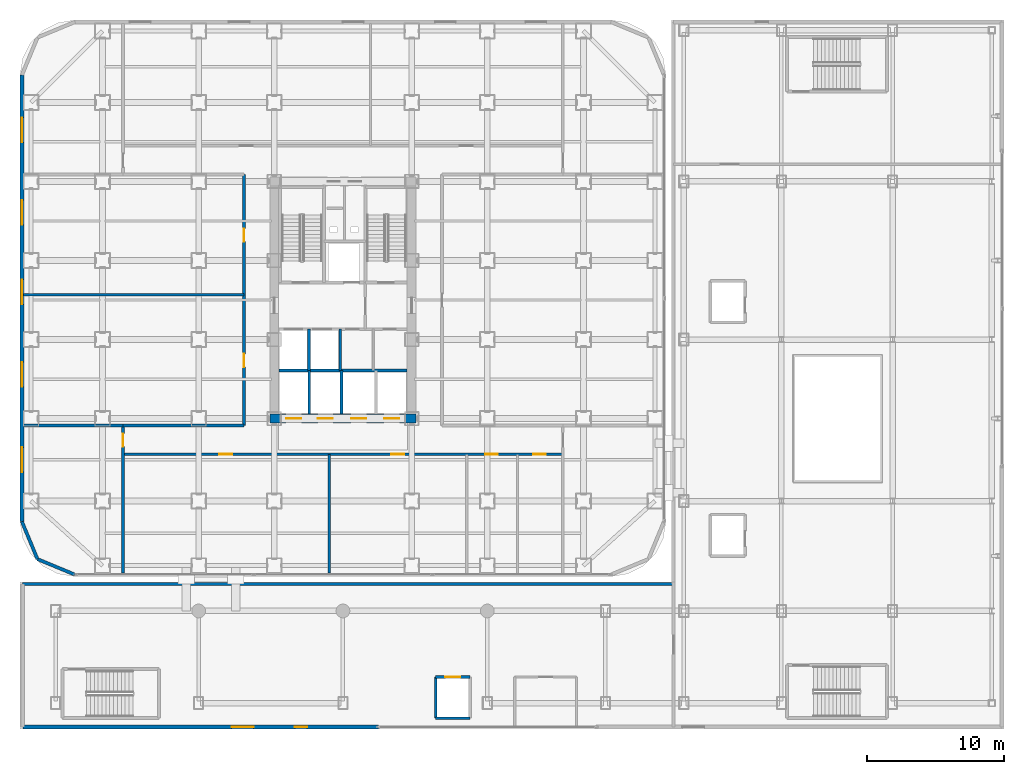
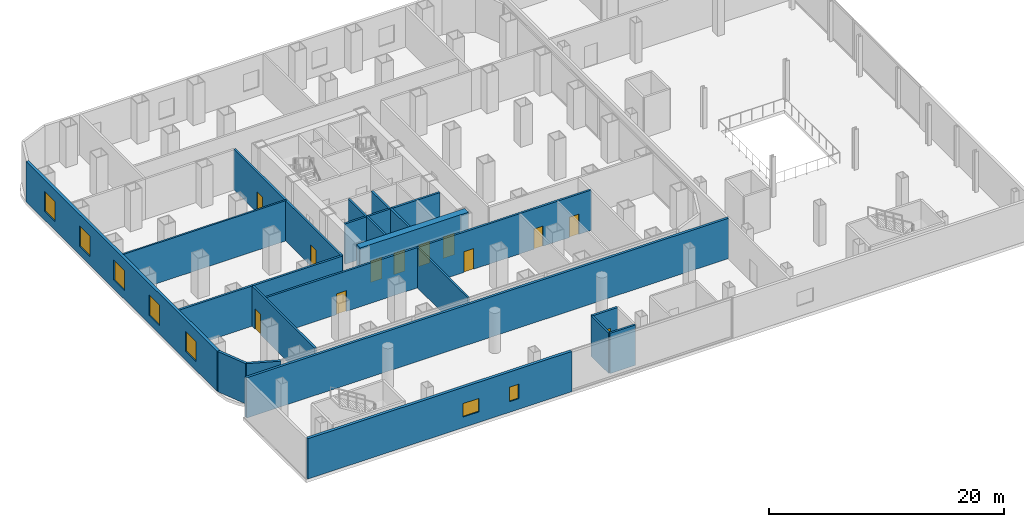
# One storey, part 19 of 26: 21 walls, 12 doors, 7 windows, 19 openings.
"""IFC4 building model written with IfcOpenShell, lengths in metres."""

from ifc_helpers import new_model, si_unit, direction, frame, frame_2d, origin, place, context, subcontext, project, spatial, rectangle, extrude, material, layer, layer_set, type_object, element, fill, save


model = new_model("IFC4")

# Units and contexts
model_context = context("Model", 3, precision=1e-05, world=origin(), true_north=direction((0.0, 1.0)))
body_context = subcontext(model_context, "Body", "Model", "MODEL_VIEW")
ifc_project = project(units=[si_unit("LENGTHUNIT", "METRE"), si_unit("AREAUNIT", "SQUARE_METRE"), si_unit("VOLUMEUNIT", "CUBIC_METRE"), si_unit("PLANEANGLEUNIT", "RADIAN"), si_unit("MASSUNIT", "GRAM", prefix="KILO")], contexts=[model_context])

# Site, building, storey
site_placement = place(None, origin())
site = spatial("IfcSite", under=ifc_project, at=site_placement, CompositionType="ELEMENT")
building_placement = place(site_placement, origin())
building = spatial("IfcBuilding", under=site, at=building_placement, Name="Kolveth Station Tower", CompositionType="ELEMENT")
storey_placement = place(building_placement, frame((0.0, 0.0, 9.0)))
storey = spatial("IfcBuildingStorey", under=building, at=storey_placement, Name="L02", CompositionType="ELEMENT", Elevation=9.0)

# Wall, openings, doors
ifc_material_1 = material(Name="Concrete C60/75", Category="concrete")
ifc_layer_1 = layer(ifc_material_1, 0.64990234375)
ifc_layer_set_1 = layer_set([ifc_layer_1], Name="Concrete C60/75")
wall_type_1 = type_object("IfcWallType", Name="Wall_CW-650", PredefinedType="SHEAR", material=ifc_layer_set_1)
wall_1_placement = place(storey_placement, frame((18.175048828125, 11.5, 0.0), z_axis=(0.0, 0.0, 1.0), x_axis=(1.0, 0.0, 0.0)))
wall_1 = element("IfcWall", 1, at=wall_1_placement, inside=storey, type_object=wall_type_1, Name="L02 Core RC Shear Wall S", PredefinedType="SHEAR", context=body_context, shape_type="SweptSolid", body=[
    extrude(rectangle(XDim=10.64990234375, YDim=0.64990234375, at=frame_2d((5.324951171875, 0.0))), origin(), (0.0, 0.0, 1.0), 4.179931640625),
])
opening_1_placement = place(wall_1_placement, frame((1.195068359375, 0.0, 0.0)))
opening_1 = element("IfcOpeningElement", 2, at=opening_1_placement, cuts=wall_1, Name="Opening LD1", PredefinedType="OPENING", context=body_context, shape_type="SweptSolid", body=[
    extrude(rectangle(XDim=1.10009765625, YDim=2.25, at=frame_2d((0.550048828125, 1.125))), frame((0.0, 0.3349609375, 0.0), z_axis=(0.0, -1.0, 0.0), x_axis=(1.0, 0.0, 0.0)), (0.0, 0.0, 1.0), 0.669921875),
])
opening_2_placement = place(wall_1_placement, frame((3.4951171875, 0.0, 0.0)))
opening_2 = element("IfcOpeningElement", 3, at=opening_2_placement, cuts=wall_1, Name="Opening LD1", PredefinedType="OPENING", context=body_context, shape_type="SweptSolid", body=[
    extrude(rectangle(XDim=1.10009765625, YDim=2.25, at=frame_2d((0.550048828125, 1.125))), frame((0.0, 0.3349609375, 0.0), z_axis=(0.0, -1.0, 0.0), x_axis=(1.0, 0.0, 0.0)), (0.0, 0.0, 1.0), 0.669921875),
])
opening_3_placement = place(wall_1_placement, frame((5.925048828125, 0.0, 0.0)))
opening_3 = element("IfcOpeningElement", 4, at=opening_3_placement, cuts=wall_1, Name="Opening LD1", PredefinedType="OPENING", context=body_context, shape_type="SweptSolid", body=[
    extrude(rectangle(XDim=1.10009765625, YDim=2.25, at=frame_2d((0.550048828125, 1.125))), frame((0.0, 0.3349609375, 0.0), z_axis=(0.0, -1.0, 0.0), x_axis=(1.0, 0.0, 0.0)), (0.0, 0.0, 1.0), 0.669921875),
])
opening_4_placement = place(wall_1_placement, frame((8.324951171875, 0.0, 0.0)))
opening_4 = element("IfcOpeningElement", 5, at=opening_4_placement, cuts=wall_1, Name="Opening LD1", PredefinedType="OPENING", context=body_context, shape_type="SweptSolid", body=[
    extrude(rectangle(XDim=1.10009765625, YDim=2.25, at=frame_2d((0.550048828125, 1.125))), frame((0.0, 0.3349609375, 0.0), z_axis=(0.0, -1.0, 0.0), x_axis=(1.0, 0.0, 0.0)), (0.0, 0.0, 1.0), 0.669921875),
])
ifc_material_2 = material(Name="Brushed stainless steel sliding landing doors", Category="steel")
door_type_1 = type_object("IfcDoorType", Name="Door_LD1", OperationType="NOTDEFINED", PredefinedType="DOOR", material=ifc_material_2)
door_1_placement = place(opening_1_placement, frame((1.10009765625, 0.0, 0.0), z_axis=(0.0, 0.0, 1.0), x_axis=(-1.0, 0.0, 0.0)))
door_1 = element("IfcDoor", 6, at=door_1_placement, inside=storey, type_object=door_type_1, Name="L02 Lift PL1 Landing Door", OperationType="DOUBLE_DOOR_SLIDING", OverallHeight=2.25, OverallWidth=1.10009765625, PredefinedType="DOOR", context=body_context, shape_type="SweptSolid", body=[
    extrude(rectangle(XDim=1.10009765625, YDim=2.25, at=frame_2d((0.550048828125, 1.125))), frame((0.0, 0.02490234375, 0.0), z_axis=(0.0, -1.0, 0.0), x_axis=(1.0, 0.0, 0.0)), (0.0, 0.0, 1.0), 0.050048828125),
])
fill(opening_1, door_1)
door_2_placement = place(opening_2_placement, frame((1.10009765625, 0.0, 0.0), z_axis=(0.0, 0.0, 1.0), x_axis=(-1.0, 0.0, 0.0)))
door_2 = element("IfcDoor", 7, at=door_2_placement, inside=storey, type_object=door_type_1, Name="L02 Lift PL2 Landing Door", OperationType="DOUBLE_DOOR_SLIDING", OverallHeight=2.25, OverallWidth=1.10009765625, PredefinedType="DOOR", context=body_context, shape_type="SweptSolid", body=[
    extrude(rectangle(XDim=1.10009765625, YDim=2.25, at=frame_2d((0.550048828125, 1.125))), frame((0.0, 0.02490234375, 0.0), z_axis=(0.0, -1.0, 0.0), x_axis=(1.0, 0.0, 0.0)), (0.0, 0.0, 1.0), 0.050048828125),
])
fill(opening_2, door_2)
door_3_placement = place(opening_3_placement, frame((1.10009765625, 0.0, 0.0), z_axis=(0.0, 0.0, 1.0), x_axis=(-1.0, 0.0, 0.0)))
door_3 = element("IfcDoor", 8, at=door_3_placement, inside=storey, type_object=door_type_1, Name="L02 Lift PM1 Landing Door", OperationType="DOUBLE_DOOR_SLIDING", OverallHeight=2.25, OverallWidth=1.10009765625, PredefinedType="DOOR", context=body_context, shape_type="SweptSolid", body=[
    extrude(rectangle(XDim=1.10009765625, YDim=2.25, at=frame_2d((0.550048828125, 1.125))), frame((0.0, 0.02490234375, 0.0), z_axis=(0.0, -1.0, 0.0), x_axis=(1.0, 0.0, 0.0)), (0.0, 0.0, 1.0), 0.050048828125),
])
fill(opening_3, door_3)
door_4_placement = place(opening_4_placement, frame((1.10009765625, 0.0, 0.0), z_axis=(0.0, 0.0, 1.0), x_axis=(-1.0, 0.0, 0.0)))
door_4 = element("IfcDoor", 9, at=door_4_placement, inside=storey, type_object=door_type_1, Name="L02 Lift PH1 Landing Door", OperationType="DOUBLE_DOOR_SLIDING", OverallHeight=2.25, OverallWidth=1.10009765625, PredefinedType="DOOR", context=body_context, shape_type="SweptSolid", body=[
    extrude(rectangle(XDim=1.10009765625, YDim=2.25, at=frame_2d((0.550048828125, 1.125))), frame((0.0, 0.02490234375, 0.0), z_axis=(0.0, -1.0, 0.0), x_axis=(1.0, 0.0, 0.0)), (0.0, 0.0, 1.0), 0.050048828125),
])
fill(opening_4, door_4)

# Walls
ifc_material_3 = material(Name="Precast concrete C40/50", Category="concrete")
ifc_layer_2 = layer(ifc_material_3, 0.239990234375)
ifc_layer_set_2 = layer_set([ifc_layer_2], Name="Precast concrete C40/50")
wall_type_2 = type_object("IfcWallType", Name="Wall_EW-240", PredefinedType="SOLIDWALL", material=ifc_layer_set_2)
for number, where, z_axis, x_axis, name in (
    (10, (0.139892578125, 4.0, 0.0), (0.0, 0.0, 1.0), (0.382689947836, -0.923876833688, 0.0), "L02 Podium Rounded Corner Wall 7"),
    (11, (1.2705078125, 1.2705078125, 0.0), (0.0, 0.0, 1.0), (0.923876833688, -0.382689947836, 0.0), "L02 Podium Rounded Corner Wall 8"),
):
    element("IfcWall", number, at=place(storey_placement, frame(where, z_axis=z_axis, x_axis=x_axis)), inside=storey, type_object=wall_type_2, Name=name, PredefinedType="SOLIDWALL", context=body_context, shape_type="SweptSolid", body=[
        extrude(rectangle(XDim=2.954345703125, YDim=0.239990234375, at=frame_2d((1.47705078125, 0.0))), origin(), (0.0, 0.0, 1.0), 4.179931640625),
    ])
wall_2_placement = place(storey_placement, frame((0.199951171875, -0.5400390625, 0.0), z_axis=(0.0, 0.0, 1.0), x_axis=(1.0, 0.0, 0.0)))
element("IfcWall", 12, at=wall_2_placement, inside=storey, type_object=wall_type_2, Name="L02 Station Exterior Wall JS", PredefinedType="SOLIDWALL", context=body_context, shape_type="SweptSolid", body=[
    extrude(rectangle(XDim=47.340087890625, YDim=0.239990234375, at=frame_2d((23.669921875, 0.0))), origin(), (0.0, 0.0, 1.0), 4.179931640625),
])

# Wall, openings, windows
ifc_layer_3 = layer(ifc_material_3, 0.280029296875)
ifc_layer_set_3 = layer_set([ifc_layer_3], Name="Precast concrete C40/50")
wall_type_3 = type_object("IfcWallType", Name="Wall_EW-280", PredefinedType="SOLIDWALL", material=ifc_layer_set_3)
wall_3_placement = place(storey_placement, frame((0.139892578125, 4.0, 0.0), z_axis=(0.0, 0.0, 1.0), x_axis=(0.0, 1.0, 0.0)))
wall_3 = element("IfcWall", 13, at=wall_3_placement, inside=storey, type_object=wall_type_3, Name="L02 Tower Podium West Exterior Wall", PredefinedType="SOLIDWALL", context=body_context, shape_type="SweptSolid", body=[
    extrude(rectangle(XDim=32.5, YDim=0.280029296875, at=frame_2d((16.25, 0.0))), origin(), (0.0, 0.0, 1.0), 4.179931640625),
])
opening_5_placement = place(wall_3_placement, frame((3.60009765625, 0.0, 0.89990234375)))
opening_5 = element("IfcOpeningElement", 14, at=opening_5_placement, cuts=wall_3, Name="Opening W2", PredefinedType="OPENING", context=body_context, shape_type="SweptSolid", body=[
    extrude(rectangle(XDim=1.800048828125, YDim=2.10009765625, at=frame_2d((0.89990234375, 1.050048828125))), frame((0.0, 0.14990234375, 0.0), z_axis=(0.0, -1.0, 0.0), x_axis=(1.0, 0.0, 0.0)), (0.0, 0.0, 1.0), 0.300048828125),
])
opening_6_placement = place(wall_3_placement, frame((9.800048828125, 0.0, 0.89990234375)))
opening_6 = element("IfcOpeningElement", 15, at=opening_6_placement, cuts=wall_3, Name="Opening W2", PredefinedType="OPENING", context=body_context, shape_type="SweptSolid", body=[
    extrude(rectangle(XDim=1.800048828125, YDim=2.10009765625, at=frame_2d((0.89990234375, 1.050048828125))), frame((0.0, 0.14990234375, 0.0), z_axis=(0.0, -1.0, 0.0), x_axis=(1.0, 0.0, 0.0)), (0.0, 0.0, 1.0), 0.300048828125),
])
opening_7_placement = place(wall_3_placement, frame((15.800048828125, 0.0, 0.89990234375)))
opening_7 = element("IfcOpeningElement", 16, at=opening_7_placement, cuts=wall_3, Name="Opening W2", PredefinedType="OPENING", context=body_context, shape_type="SweptSolid", body=[
    extrude(rectangle(XDim=1.800048828125, YDim=2.10009765625, at=frame_2d((0.89990234375, 1.050048828125))), frame((0.0, 0.14990234375, 0.0), z_axis=(0.0, -1.0, 0.0), x_axis=(1.0, 0.0, 0.0)), (0.0, 0.0, 1.0), 0.300048828125),
])
opening_8_placement = place(wall_3_placement, frame((21.60009765625, 0.0, 0.89990234375)))
opening_8 = element("IfcOpeningElement", 17, at=opening_8_placement, cuts=wall_3, Name="Opening W2", PredefinedType="OPENING", context=body_context, shape_type="SweptSolid", body=[
    extrude(rectangle(XDim=1.800048828125, YDim=2.10009765625, at=frame_2d((0.89990234375, 1.050048828125))), frame((0.0, 0.14990234375, 0.0), z_axis=(0.0, -1.0, 0.0), x_axis=(1.0, 0.0, 0.0)), (0.0, 0.0, 1.0), 0.300048828125),
])
opening_9_placement = place(wall_3_placement, frame((27.60009765625, 0.0, 0.89990234375)))
opening_9 = element("IfcOpeningElement", 18, at=opening_9_placement, cuts=wall_3, Name="Opening W2", PredefinedType="OPENING", context=body_context, shape_type="SweptSolid", body=[
    extrude(rectangle(XDim=1.800048828125, YDim=2.10009765625, at=frame_2d((0.89990234375, 1.050048828125))), frame((0.0, 0.14990234375, 0.0), z_axis=(0.0, -1.0, 0.0), x_axis=(1.0, 0.0, 0.0)), (0.0, 0.0, 1.0), 0.300048828125),
])
ifc_material_4 = material(Name="Black anodized aluminium 6063-T6 and low-E dark glass", Category="aluminium")
window_type_1 = type_object("IfcWindowType", Name="Win_W2", PartitioningType="SINGLE_PANEL", PredefinedType="WINDOW", material=ifc_material_4)
window_1_placement = place(opening_5_placement, origin())
window_1 = element("IfcWindow", 19, at=window_1_placement, inside=storey, type_object=window_type_1, Name="L02 Tower Podium West Window 1", OverallHeight=2.10009765625, OverallWidth=1.800048828125, PartitioningType="SINGLE_PANEL", PredefinedType="WINDOW", context=body_context, shape_type="SweptSolid", body=[
    extrude(rectangle(XDim=1.800048828125, YDim=2.10009765625, at=frame_2d((0.89990234375, 1.050048828125))), frame((0.0, 0.030029296875, 0.0), z_axis=(0.0, -1.0, 0.0), x_axis=(1.0, 0.0, 0.0)), (0.0, 0.0, 1.0), 0.06005859375),
])
fill(opening_5, window_1)
window_2_placement = place(opening_6_placement, origin())
window_2 = element("IfcWindow", 20, at=window_2_placement, inside=storey, type_object=window_type_1, Name="L02 Tower Podium West Window 2", OverallHeight=2.10009765625, OverallWidth=1.800048828125, PartitioningType="SINGLE_PANEL", PredefinedType="WINDOW", context=body_context, shape_type="SweptSolid", body=[
    extrude(rectangle(XDim=1.800048828125, YDim=2.10009765625, at=frame_2d((0.89990234375, 1.050048828125))), frame((0.0, 0.030029296875, 0.0), z_axis=(0.0, -1.0, 0.0), x_axis=(1.0, 0.0, 0.0)), (0.0, 0.0, 1.0), 0.06005859375),
])
fill(opening_6, window_2)
window_3_placement = place(opening_7_placement, origin())
window_3 = element("IfcWindow", 21, at=window_3_placement, inside=storey, type_object=window_type_1, Name="L02 Tower Podium West Window 3", OverallHeight=2.10009765625, OverallWidth=1.800048828125, PartitioningType="SINGLE_PANEL", PredefinedType="WINDOW", context=body_context, shape_type="SweptSolid", body=[
    extrude(rectangle(XDim=1.800048828125, YDim=2.10009765625, at=frame_2d((0.89990234375, 1.050048828125))), frame((0.0, 0.030029296875, 0.0), z_axis=(0.0, -1.0, 0.0), x_axis=(1.0, 0.0, 0.0)), (0.0, 0.0, 1.0), 0.06005859375),
])
fill(opening_7, window_3)
window_4_placement = place(opening_8_placement, origin())
window_4 = element("IfcWindow", 22, at=window_4_placement, inside=storey, type_object=window_type_1, Name="L02 Tower Podium West Window 4", OverallHeight=2.10009765625, OverallWidth=1.800048828125, PartitioningType="SINGLE_PANEL", PredefinedType="WINDOW", context=body_context, shape_type="SweptSolid", body=[
    extrude(rectangle(XDim=1.800048828125, YDim=2.10009765625, at=frame_2d((0.89990234375, 1.050048828125))), frame((0.0, 0.030029296875, 0.0), z_axis=(0.0, -1.0, 0.0), x_axis=(1.0, 0.0, 0.0)), (0.0, 0.0, 1.0), 0.06005859375),
])
fill(opening_8, window_4)
window_5_placement = place(opening_9_placement, origin())
window_5 = element("IfcWindow", 23, at=window_5_placement, inside=storey, type_object=window_type_1, Name="L02 Tower Podium West Window 5", OverallHeight=2.10009765625, OverallWidth=1.800048828125, PartitioningType="SINGLE_PANEL", PredefinedType="WINDOW", context=body_context, shape_type="SweptSolid", body=[
    extrude(rectangle(XDim=1.800048828125, YDim=2.10009765625, at=frame_2d((0.89990234375, 1.050048828125))), frame((0.0, 0.030029296875, 0.0), z_axis=(0.0, -1.0, 0.0), x_axis=(1.0, 0.0, 0.0)), (0.0, 0.0, 1.0), 0.06005859375),
])
fill(opening_9, window_5)

wall_4_placement = place(storey_placement, frame((0.199951171875, -10.949951171875, 0.0), z_axis=(0.0, 0.0, 1.0), x_axis=(1.0, 0.0, 0.0)))
wall_4 = element("IfcWall", 24, at=wall_4_placement, inside=storey, type_object=wall_type_3, Name="L02 Station Exterior Wall S1", PredefinedType="SOLIDWALL", context=body_context, shape_type="SweptSolid", body=[
    extrude(rectangle(XDim=25.900146484375, YDim=0.280029296875, at=frame_2d((12.9501953125, 0.0))), origin(), (0.0, 0.0, 1.0), 4.179931640625),
])
opening_10_placement = place(wall_4_placement, frame((15.199951171875, 0.0, 1.10009765625)))
opening_10 = element("IfcOpeningElement", 25, at=opening_10_placement, cuts=wall_4, Name="Opening W7", PredefinedType="OPENING", context=body_context, shape_type="SweptSolid", body=[
    extrude(rectangle(XDim=1.60009765625, YDim=1.39990234375, at=frame_2d((0.800048828125, 0.699951171875))), frame((0.0, 0.14990234375, 0.0), z_axis=(0.0, -1.0, 0.0), x_axis=(1.0, 0.0, 0.0)), (0.0, 0.0, 1.0), 0.300048828125),
])
opening_11_placement = place(wall_4_placement, frame((19.800048828125, 0.0, 1.10009765625)))
opening_11 = element("IfcOpeningElement", 26, at=opening_11_placement, cuts=wall_4, Name="Opening W8", PredefinedType="OPENING", context=body_context, shape_type="SweptSolid", body=[
    extrude(rectangle(XDim=0.89990234375, YDim=1.5, at=frame_2d((0.449951171875, 0.75))), frame((0.0, 0.14990234375, 0.0), z_axis=(0.0, -1.0, 0.0), x_axis=(1.0, 0.0, 0.0)), (0.0, 0.0, 1.0), 0.300048828125),
])
ifc_material_5 = material(Name="Black anodized aluminium 6063-T6 and triple low-E glass", Category="aluminium")
window_type_2 = type_object("IfcWindowType", Name="Win_W7", PartitioningType="SINGLE_PANEL", PredefinedType="WINDOW", material=ifc_material_5)
window_6_placement = place(opening_10_placement, origin())
window_6 = element("IfcWindow", 27, at=window_6_placement, inside=storey, type_object=window_type_2, Name="L02 Station Hall Window 1", OverallHeight=1.39990234375, OverallWidth=1.60009765625, PartitioningType="SINGLE_PANEL", PredefinedType="WINDOW", context=body_context, shape_type="SweptSolid", body=[
    extrude(rectangle(XDim=1.60009765625, YDim=1.39990234375, at=frame_2d((0.800048828125, 0.699951171875))), frame((0.0, 0.030029296875, 0.0), z_axis=(0.0, -1.0, 0.0), x_axis=(1.0, 0.0, 0.0)), (0.0, 0.0, 1.0), 0.06005859375),
])
fill(opening_10, window_6)
ifc_material_6 = material(Name="Black anodized aluminium 6063-T6 and frosted glass", Category="aluminium")
window_type_3 = type_object("IfcWindowType", Name="Win_W8", PartitioningType="SINGLE_PANEL", PredefinedType="WINDOW", material=ifc_material_6)
window_7_placement = place(opening_11_placement, origin())
window_7 = element("IfcWindow", 28, at=window_7_placement, inside=storey, type_object=window_type_3, Name="L02 Station Hall Window 2", OverallHeight=1.5, OverallWidth=0.89990234375, PartitioningType="SINGLE_PANEL", PredefinedType="WINDOW", context=body_context, shape_type="SweptSolid", body=[
    extrude(rectangle(XDim=0.89990234375, YDim=1.5, at=frame_2d((0.449951171875, 0.75))), frame((0.0, 0.030029296875, 0.0), z_axis=(0.0, -1.0, 0.0), x_axis=(1.0, 0.0, 0.0)), (0.0, 0.0, 1.0), 0.06005859375),
])
fill(opening_11, window_7)

# Walls
ifc_material_7 = material(Name="Acoustic double-stud gypsum partition")
ifc_layer_4 = layer(ifc_material_7, 0.1650390625)
ifc_layer_set_4 = layer_set([ifc_layer_4], Name="Acoustic double-stud gypsum partition")
wall_type_4 = type_object("IfcWallType", Name="Wall_IW-165", PredefinedType="PARTITIONING", material=ifc_layer_set_4)
wall_5_placement = place(storey_placement, frame((22.5, 0.25, 0.0), z_axis=(0.0, 0.0, 1.0), x_axis=(0.0, 1.0, 0.0)))
element("IfcWall", 29, at=wall_5_placement, inside=storey, type_object=wall_type_4, Name="L02 Partition Wall WL-L02-TPS-P1", PredefinedType="PARTITIONING", context=body_context, shape_type="SweptSolid", body=[
    extrude(rectangle(XDim=8.64990234375, YDim=0.1650390625, at=frame_2d((4.324951171875, 0.0))), origin(), (0.0, 0.0, 1.0), 4.179931640625),
])
wall_6_placement = place(storey_placement, frame((0.25, 20.5, 0.0), z_axis=(0.0, 0.0, 1.0), x_axis=(1.0, 0.0, 0.0)))
element("IfcWall", 30, at=wall_6_placement, inside=storey, type_object=wall_type_4, Name="L02 Partition Wall WL-L02-TPW-P1", PredefinedType="PARTITIONING", context=body_context, shape_type="SweptSolid", body=[
    extrude(rectangle(XDim=16.050048828125, YDim=0.1650390625, at=frame_2d((8.02490234375, 0.0))), origin(), (0.0, 0.0, 1.0), 4.179931640625),
])
ifc_material_8 = material(Name="Acoustic fire-rated gypsum blockwork", Category="masonry")
ifc_layer_5 = layer(ifc_material_8, 0.199951171875)
ifc_layer_set_5 = layer_set([ifc_layer_5], Name="Acoustic fire-rated gypsum blockwork")
wall_type_5 = type_object("IfcWallType", Name="Wall_IW-200", PredefinedType="PARTITIONING", material=ifc_layer_set_5)
for number, where, z_axis, x_axis, name in (
    (31, (21.02001953125, 15.0, 0.0), (0.0, 0.0, 1.0), (0.0, 1.0, 0.0), "L02 Partition Wall WL-L02-FF12"),
    (32, (23.300048828125, 15.0, 0.0), (0.0, 0.0, 1.0), (0.0, 1.0, 0.0), "L02 Partition Wall WL-L02-FF2E"),
):
    element("IfcWall", number, at=place(storey_placement, frame(where, z_axis=z_axis, x_axis=x_axis)), inside=storey, type_object=wall_type_5, Name=name, PredefinedType="PARTITIONING", context=body_context, shape_type="SweptSolid", body=[
        extrude(rectangle(XDim=3.0, YDim=0.199951171875, at=frame_2d((1.5, 0.0))), origin(), (0.0, 0.0, 1.0), 4.179931640625),
    ])
wall_7_placement = place(storey_placement, frame((18.8349609375, 15.0, 0.0), z_axis=(0.0, 0.0, 1.0), x_axis=(1.0, 0.0, 0.0)))
element("IfcWall", 33, at=wall_7_placement, inside=storey, type_object=wall_type_5, Name="L02 Partition Wall WL-L02-BOH-S", PredefinedType="PARTITIONING", context=body_context, shape_type="SweptSolid", body=[
    extrude(rectangle(XDim=9.330078125, YDim=0.199951171875, at=frame_2d((4.6650390625, 0.0))), origin(), (0.0, 0.0, 1.0), 4.179931640625),
])
for number, where, z_axis, x_axis, name in (
    (34, (21.050048828125, 11.8349609375, 0.0), (0.0, 0.0, 1.0), (0.0, 1.0, 0.0), "L02 Partition Wall WL-L02-PL12"),
    (35, (23.39990234375, 11.8349609375, 0.0), (0.0, 0.0, 1.0), (0.0, 1.0, 0.0), "L02 Partition Wall WL-L02-PL2E"),
):
    element("IfcWall", number, at=place(storey_placement, frame(where, z_axis=z_axis, x_axis=x_axis)), inside=storey, type_object=wall_type_5, Name=name, PredefinedType="PARTITIONING", context=body_context, shape_type="SweptSolid", body=[
        extrude(rectangle(XDim=3.1650390625, YDim=0.199951171875, at=frame_2d((1.58251953125, 0.0))), origin(), (0.0, 0.0, 1.0), 4.179931640625),
    ])

# Wall, openings, doors
wall_8_placement = place(storey_placement, frame((7.5, 8.89990234375, 0.0), z_axis=(0.0, 0.0, 1.0), x_axis=(1.0, 0.0, 0.0)))
wall_8 = element("IfcWall", 36, at=wall_8_placement, inside=storey, type_object=wall_type_5, Name="L02 Partition Wall WL-L02-BS", PredefinedType="PARTITIONING", context=body_context, shape_type="SweptSolid", body=[
    extrude(rectangle(XDim=32.0, YDim=0.199951171875, at=frame_2d((16.0, 0.0))), origin(), (0.0, 0.0, 1.0), 4.179931640625),
])
opening_12_placement = place(wall_8_placement, frame((7.0, 0.0, 0.0)))
opening_12 = element("IfcOpeningElement", 37, at=opening_12_placement, cuts=wall_8, Name="Opening ID1", PredefinedType="OPENING", context=body_context, shape_type="SweptSolid", body=[
    extrude(rectangle(XDim=0.949951171875, YDim=2.14990234375, at=frame_2d((0.47509765625, 1.074951171875))), frame((0.0, 0.10986328125, 0.0), z_axis=(0.0, -1.0, 0.0), x_axis=(1.0, 0.0, 0.0)), (0.0, 0.0, 1.0), 0.219970703125),
])
opening_13_placement = place(wall_8_placement, frame((19.5, 0.0, 0.0)))
opening_13 = element("IfcOpeningElement", 38, at=opening_13_placement, cuts=wall_8, Name="Opening ID1", PredefinedType="OPENING", context=body_context, shape_type="SweptSolid", body=[
    extrude(rectangle(XDim=0.949951171875, YDim=2.14990234375, at=frame_2d((0.47509765625, 1.074951171875))), frame((0.0, 0.10986328125, 0.0), z_axis=(0.0, -1.0, 0.0), x_axis=(1.0, 0.0, 0.0)), (0.0, 0.0, 1.0), 0.219970703125),
])
opening_14_placement = place(wall_8_placement, frame((26.35009765625, 0.0, 0.0)))
opening_14 = element("IfcOpeningElement", 39, at=opening_14_placement, cuts=wall_8, Name="Opening ID2", PredefinedType="OPENING", context=body_context, shape_type="SweptSolid", body=[
    extrude(rectangle(XDim=0.919921875, YDim=2.10009765625, at=frame_2d((0.4599609375, 1.050048828125))), frame((0.0, 0.10986328125, 0.0), z_axis=(0.0, -1.0, 0.0), x_axis=(1.0, 0.0, 0.0)), (0.0, 0.0, 1.0), 0.219970703125),
])
opening_15_placement = place(wall_8_placement, frame((29.85009765625, 0.0, 0.0)))
opening_15 = element("IfcOpeningElement", 40, at=opening_15_placement, cuts=wall_8, Name="Opening ID2", PredefinedType="OPENING", context=body_context, shape_type="SweptSolid", body=[
    extrude(rectangle(XDim=0.919921875, YDim=2.10009765625, at=frame_2d((0.4599609375, 1.050048828125))), frame((0.0, 0.10986328125, 0.0), z_axis=(0.0, -1.0, 0.0), x_axis=(1.0, 0.0, 0.0)), (0.0, 0.0, 1.0), 0.219970703125),
])
ifc_material_9 = material(Name="Acoustic hardwood leaf and aluminium frame", Category="wood")
door_type_2 = type_object("IfcDoorType", Name="Door_ID1", OperationType="NOTDEFINED", PredefinedType="DOOR", material=ifc_material_9)
door_5_placement = place(opening_12_placement, frame((0.949951171875, 0.0, 0.0), z_axis=(0.0, 0.0, 1.0), x_axis=(-1.0, 0.0, 0.0)))
door_5 = element("IfcDoor", 41, at=door_5_placement, inside=storey, type_object=door_type_2, Name="L02 Retail Unit South Door", OperationType="SINGLE_SWING_RIGHT", OverallHeight=2.14990234375, OverallWidth=0.949951171875, PredefinedType="DOOR", context=body_context, shape_type="SweptSolid", body=[
    extrude(rectangle(XDim=0.949951171875, YDim=2.14990234375, at=frame_2d((0.47509765625, 1.074951171875))), frame((0.0, 0.02490234375, 0.0), z_axis=(0.0, -1.0, 0.0), x_axis=(1.0, 0.0, 0.0)), (0.0, 0.0, 1.0), 0.050048828125),
])
fill(opening_12, door_5)
door_6_placement = place(opening_13_placement, frame((0.949951171875, 0.0, 0.0), z_axis=(0.0, 0.0, 1.0), x_axis=(-1.0, 0.0, 0.0)))
door_6 = element("IfcDoor", 42, at=door_6_placement, inside=storey, type_object=door_type_2, Name="L02 Conference Room South Door", OperationType="SINGLE_SWING_LEFT", OverallHeight=2.14990234375, OverallWidth=0.949951171875, PredefinedType="DOOR", context=body_context, shape_type="SweptSolid", body=[
    extrude(rectangle(XDim=0.949951171875, YDim=2.14990234375, at=frame_2d((0.47509765625, 1.074951171875))), frame((0.0, 0.02490234375, 0.0), z_axis=(0.0, -1.0, 0.0), x_axis=(1.0, 0.0, 0.0)), (0.0, 0.0, 1.0), 0.050048828125),
])
fill(opening_13, door_6)
ifc_material_10 = material(Name="Moisture-resistant hardwood leaf", Category="wood")
door_type_3 = type_object("IfcDoorType", Name="Door_ID2", OperationType="NOTDEFINED", PredefinedType="DOOR", material=ifc_material_10)
door_7_placement = place(opening_14_placement, frame((0.919921875, 0.0, 0.0), z_axis=(0.0, 0.0, 1.0), x_axis=(-1.0, 0.0, 0.0)))
door_7 = element("IfcDoor", 43, at=door_7_placement, inside=storey, type_object=door_type_3, Name="L02 Podium Public Toilet Door", OperationType="SINGLE_SWING_RIGHT", OverallHeight=2.10009765625, OverallWidth=0.919921875, PredefinedType="DOOR", context=body_context, shape_type="SweptSolid", body=[
    extrude(rectangle(XDim=0.919921875, YDim=2.10009765625, at=frame_2d((0.4599609375, 1.050048828125))), frame((0.0, 0.02490234375, 0.0), z_axis=(0.0, -1.0, 0.0), x_axis=(1.0, 0.0, 0.0)), (0.0, 0.0, 1.0), 0.050048828125),
])
fill(opening_14, door_7)
door_8_placement = place(opening_15_placement, frame((0.919921875, 0.0, 0.0), z_axis=(0.0, 0.0, 1.0), x_axis=(-1.0, 0.0, 0.0)))
door_8 = element("IfcDoor", 44, at=door_8_placement, inside=storey, type_object=door_type_3, Name="L02 Accessible Podium WC Door", OperationType="SINGLE_SWING_LEFT", OverallHeight=2.10009765625, OverallWidth=0.919921875, PredefinedType="DOOR", context=body_context, shape_type="SweptSolid", body=[
    extrude(rectangle(XDim=0.919921875, YDim=2.10009765625, at=frame_2d((0.4599609375, 1.050048828125))), frame((0.0, 0.02490234375, 0.0), z_axis=(0.0, -1.0, 0.0), x_axis=(1.0, 0.0, 0.0)), (0.0, 0.0, 1.0), 0.050048828125),
])
fill(opening_15, door_8)

# Wall
wall_9_placement = place(storey_placement, frame((7.5, 11.0, 0.0), z_axis=(0.0, 0.0, 1.0), x_axis=(1.0, 0.0, 0.0)))
element("IfcWall", 45, at=wall_9_placement, inside=storey, type_object=wall_type_5, Name="L02 Partition Wall WL-L02-BSWT", PredefinedType="PARTITIONING", context=body_context, shape_type="SweptSolid", body=[
    extrude(rectangle(XDim=8.800048828125, YDim=0.199951171875, at=frame_2d((4.39990234375, 0.0))), origin(), (0.0, 0.0, 1.0), 4.179931640625),
])

# Wall, openings, doors
wall_10_placement = place(storey_placement, frame((16.300048828125, 11.0, 0.0), z_axis=(0.0, 0.0, 1.0), x_axis=(0.0, 1.0, 0.0)))
wall_10 = element("IfcWall", 46, at=wall_10_placement, inside=storey, type_object=wall_type_5, Name="L02 Partition Wall WL-L02-BW", PredefinedType="PARTITIONING", context=body_context, shape_type="SweptSolid", body=[
    extrude(rectangle(XDim=18.25, YDim=0.199951171875, at=frame_2d((9.125, 0.0))), origin(), (0.0, 0.0, 1.0), 4.179931640625),
])
opening_16_placement = place(wall_10_placement, frame((4.25, 0.0, 0.0)))
opening_16 = element("IfcOpeningElement", 47, at=opening_16_placement, cuts=wall_10, Name="Opening ID1", PredefinedType="OPENING", context=body_context, shape_type="SweptSolid", body=[
    extrude(rectangle(XDim=0.949951171875, YDim=2.14990234375, at=frame_2d((0.47509765625, 1.074951171875))), frame((0.0, 0.10986328125, 0.0), z_axis=(0.0, -1.0, 0.0), x_axis=(1.0, 0.0, 0.0)), (0.0, 0.0, 1.0), 0.219970703125),
])
opening_17_placement = place(wall_10_placement, frame((13.375, 0.0, 0.0)))
opening_17 = element("IfcOpeningElement", 48, at=opening_17_placement, cuts=wall_10, Name="Opening ID1", PredefinedType="OPENING", context=body_context, shape_type="SweptSolid", body=[
    extrude(rectangle(XDim=0.949951171875, YDim=2.14990234375, at=frame_2d((0.47509765625, 1.074951171875))), frame((0.0, 0.10986328125, 0.0), z_axis=(0.0, -1.0, 0.0), x_axis=(1.0, 0.0, 0.0)), (0.0, 0.0, 1.0), 0.219970703125),
])
door_9_placement = place(opening_16_placement, frame((0.949951171875, 0.0, 0.0), z_axis=(0.0, 0.0, 1.0), x_axis=(-1.0, 0.0, 0.0)))
door_9 = element("IfcDoor", 49, at=door_9_placement, inside=storey, type_object=door_type_2, Name="L02 Podium Retail Unit West 1 Door", OperationType="SINGLE_SWING_RIGHT", OverallHeight=2.14990234375, OverallWidth=0.949951171875, PredefinedType="DOOR", context=body_context, shape_type="SweptSolid", body=[
    extrude(rectangle(XDim=0.949951171875, YDim=2.14990234375, at=frame_2d((0.47509765625, 1.074951171875))), frame((0.0, 0.02490234375, 0.0), z_axis=(0.0, -1.0, 0.0), x_axis=(1.0, 0.0, 0.0)), (0.0, 0.0, 1.0), 0.050048828125),
])
fill(opening_16, door_9)
door_10_placement = place(opening_17_placement, frame((0.949951171875, 0.0, 0.0), z_axis=(0.0, 0.0, 1.0), x_axis=(-1.0, 0.0, 0.0)))
door_10 = element("IfcDoor", 50, at=door_10_placement, inside=storey, type_object=door_type_2, Name="L02 Meeting Room West Door", OperationType="SINGLE_SWING_LEFT", OverallHeight=2.14990234375, OverallWidth=0.949951171875, PredefinedType="DOOR", context=body_context, shape_type="SweptSolid", body=[
    extrude(rectangle(XDim=0.949951171875, YDim=2.14990234375, at=frame_2d((0.47509765625, 1.074951171875))), frame((0.0, 0.02490234375, 0.0), z_axis=(0.0, -1.0, 0.0), x_axis=(1.0, 0.0, 0.0)), (0.0, 0.0, 1.0), 0.050048828125),
])
fill(opening_17, door_10)

# Wall, opening, door
wall_11_placement = place(storey_placement, frame((7.5, 0.25, 0.0), z_axis=(0.0, 0.0, 1.0), x_axis=(0.0, 1.0, 0.0)))
wall_11 = element("IfcWall", 51, at=wall_11_placement, inside=storey, type_object=wall_type_5, Name="L02 Partition Wall WL-L02-BWS", PredefinedType="PARTITIONING", context=body_context, shape_type="SweptSolid", body=[
    extrude(rectangle(XDim=10.75, YDim=0.199951171875, at=frame_2d((5.375, 0.0))), origin(), (0.0, 0.0, 1.0), 4.179931640625),
])
opening_18_placement = place(wall_11_placement, frame((9.199951171875, 0.0, 0.0)))
opening_18 = element("IfcOpeningElement", 52, at=opening_18_placement, cuts=wall_11, Name="Opening ID1", PredefinedType="OPENING", context=body_context, shape_type="SweptSolid", body=[
    extrude(rectangle(XDim=0.949951171875, YDim=2.14990234375, at=frame_2d((0.47509765625, 1.074951171875))), frame((0.0, 0.10986328125, 0.0), z_axis=(0.0, -1.0, 0.0), x_axis=(1.0, 0.0, 0.0)), (0.0, 0.0, 1.0), 0.219970703125),
])
door_11_placement = place(opening_18_placement, frame((0.949951171875, 0.0, 0.0), z_axis=(0.0, 0.0, 1.0), x_axis=(-1.0, 0.0, 0.0)))
door_11 = element("IfcDoor", 53, at=door_11_placement, inside=storey, type_object=door_type_2, Name="L02 Podium Retail Unit CSW Door", OperationType="SINGLE_SWING_RIGHT", OverallHeight=2.14990234375, OverallWidth=0.949951171875, PredefinedType="DOOR", context=body_context, shape_type="SweptSolid", body=[
    extrude(rectangle(XDim=0.949951171875, YDim=2.14990234375, at=frame_2d((0.47509765625, 1.074951171875))), frame((0.0, 0.02490234375, 0.0), z_axis=(0.0, -1.0, 0.0), x_axis=(1.0, 0.0, 0.0)), (0.0, 0.0, 1.0), 0.050048828125),
])
fill(opening_18, door_11)

# Walls
wall_12_placement = place(storey_placement, frame((0.25, 11.0, 0.0), z_axis=(0.0, 0.0, 1.0), x_axis=(1.0, 0.0, 0.0)))
element("IfcWall", 54, at=wall_12_placement, inside=storey, type_object=wall_type_5, Name="L02 Partition Wall WL-L02-BWM1", PredefinedType="PARTITIONING", context=body_context, shape_type="SweptSolid", body=[
    extrude(rectangle(XDim=7.25, YDim=0.199951171875, at=frame_2d((3.625, 0.0))), origin(), (0.0, 0.0, 1.0), 4.179931640625),
])
wall_13_placement = place(storey_placement, frame((30.25, -10.300048828125, 0.0), z_axis=(0.0, 0.0, 1.0), x_axis=(1.0, 0.0, 0.0)))
element("IfcWall", 55, at=wall_13_placement, inside=storey, type_object=wall_type_5, Name="L02 Partition Wall WL-L02-SL3-S", PredefinedType="PARTITIONING", context=body_context, shape_type="SweptSolid", body=[
    extrude(rectangle(XDim=2.5, YDim=0.199951171875, at=frame_2d((1.25, 0.0))), origin(), (0.0, 0.0, 1.0), 4.179931640625),
])

# Wall, opening, door
wall_14_placement = place(storey_placement, frame((30.25, -7.300048828125, 0.0), z_axis=(0.0, 0.0, 1.0), x_axis=(1.0, 0.0, 0.0)))
wall_14 = element("IfcWall", 56, at=wall_14_placement, inside=storey, type_object=wall_type_5, Name="L02 Partition Wall WL-L02-SL3-N", PredefinedType="PARTITIONING", context=body_context, shape_type="SweptSolid", body=[
    extrude(rectangle(XDim=2.5, YDim=0.199951171875, at=frame_2d((1.25, 0.0))), origin(), (0.0, 0.0, 1.0), 4.179931640625),
])
opening_19_placement = place(wall_14_placement, frame((0.699951171875, 0.0, 0.0)))
opening_19 = element("IfcOpeningElement", 57, at=opening_19_placement, cuts=wall_14, Name="Opening LD1", PredefinedType="OPENING", context=body_context, shape_type="SweptSolid", body=[
    extrude(rectangle(XDim=1.10009765625, YDim=2.25, at=frame_2d((0.550048828125, 1.125))), frame((0.0, 0.10986328125, 0.0), z_axis=(0.0, -1.0, 0.0), x_axis=(1.0, 0.0, 0.0)), (0.0, 0.0, 1.0), 0.219970703125),
])
door_12_placement = place(opening_19_placement, origin())
door_12 = element("IfcDoor", 58, at=door_12_placement, inside=storey, type_object=door_type_1, Name="L02 Station Lift SL3 Landing Door", OperationType="DOUBLE_DOOR_SLIDING", OverallHeight=2.25, OverallWidth=1.10009765625, PredefinedType="DOOR", context=body_context, shape_type="SweptSolid", body=[
    extrude(rectangle(XDim=1.10009765625, YDim=2.25, at=frame_2d((0.550048828125, 1.125))), frame((0.0, 0.02490234375, 0.0), z_axis=(0.0, -1.0, 0.0), x_axis=(1.0, 0.0, 0.0)), (0.0, 0.0, 1.0), 0.050048828125),
])
fill(opening_19, door_12)

# Wall
wall_15_placement = place(storey_placement, frame((30.25, -10.300048828125, 0.0), z_axis=(0.0, 0.0, 1.0), x_axis=(0.0, 1.0, 0.0)))
element("IfcWall", 59, at=wall_15_placement, inside=storey, type_object=wall_type_5, Name="L02 Partition Wall WL-L02-SL3-W", PredefinedType="PARTITIONING", context=body_context, shape_type="SweptSolid", body=[
    extrude(rectangle(XDim=3.0, YDim=0.199951171875, at=frame_2d((1.5, 0.0))), origin(), (0.0, 0.0, 1.0), 4.179931640625),
])

save(model, "model.ifc")
